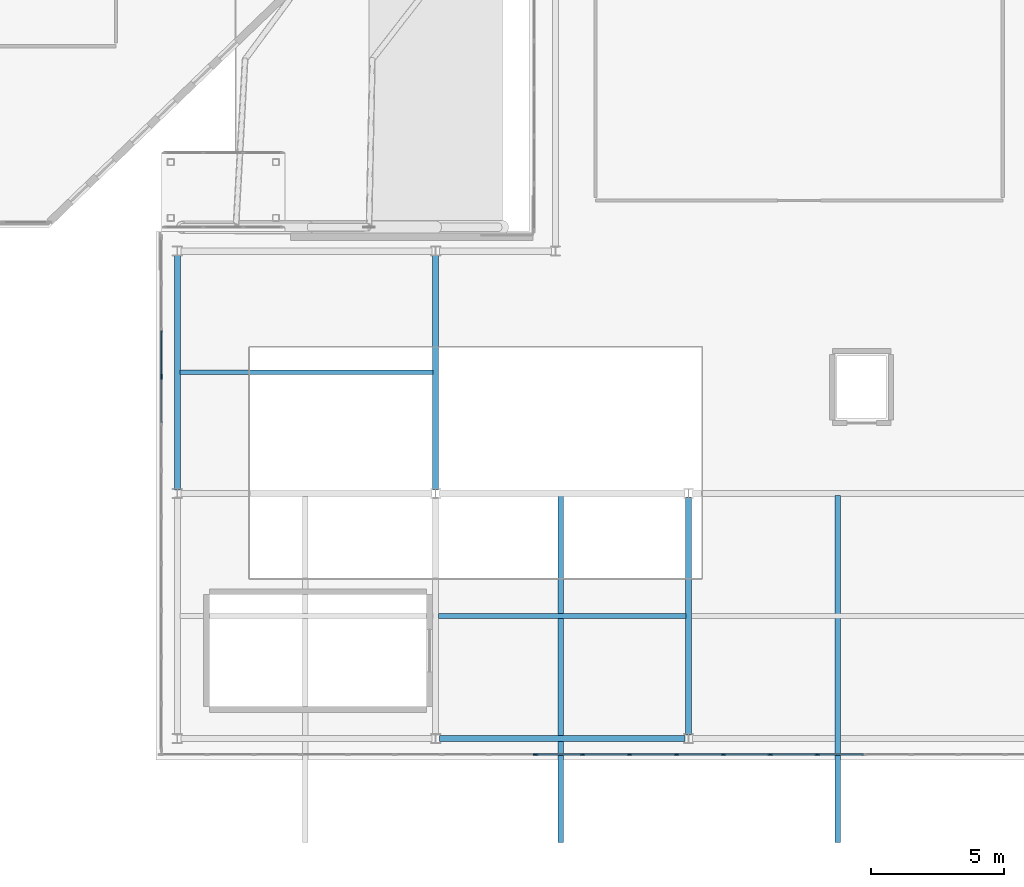
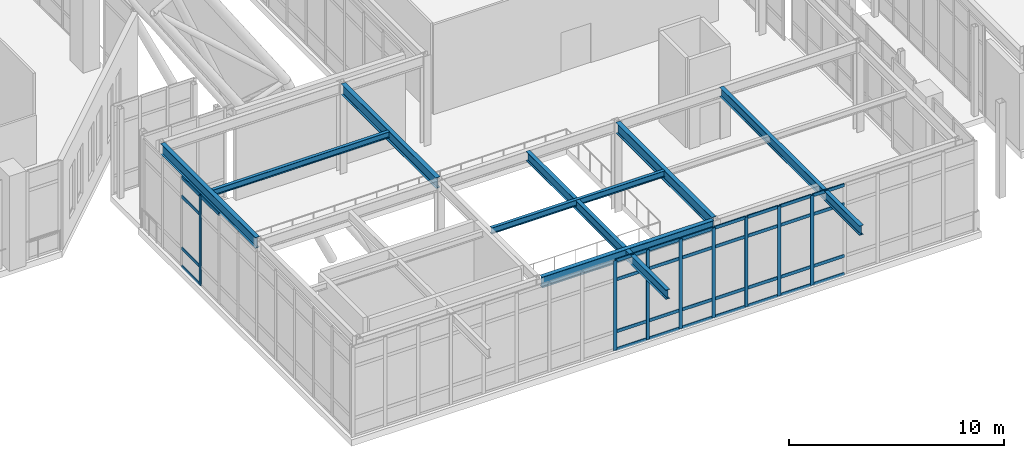
# One storey, part 35 of 159: 41 members, 8 beams, 2 elements without a shape of their own.
"""IFC4 building model written with IfcOpenShell, lengths in metres."""

import ifcopenshell
import ifcopenshell.guid

model = None  # the IFC model being written
_history = None  # IfcOwnerHistory: only IFC2X3 demands one
_inside = {}  # id of a spatial element -> (the spatial element, [elements in it])
_under = {}  # id of a project, library or spatial element -> (it, [spatial elements below it])
_declared = {}  # id of a project -> (the project, [libraries it declares])
_typed = {}  # id of a type object -> (the type object, [elements of that type])
_made_of = {}  # id of a material, layer set ... -> (it, [elements and type objects made of it])


def new_model(schema):
    """Start an empty IFC model of exactly this schema.

    Asked for "IFC4X3", IfcOpenShell would pick the latest addendum, in which some entities
    have other attributes; the version numbers below select the first issue.
    IFC2X3 requires an IfcOwnerHistory on every rooted entity: one is made here for all.
    """
    global model, _history
    if schema == "IFC4X3":
        model = ifcopenshell.file(schema_version=(4, 3, 0, 0))
    else:
        model = ifcopenshell.file(schema=schema)
    _inside.clear()
    _under.clear()
    _declared.clear()
    _typed.clear()
    _made_of.clear()
    _history = None
    if model.schema == "IFC2X3":
        org = make("IfcOrganization", Name="unknown")
        user = make(
            "IfcPersonAndOrganization",
            ThePerson=make("IfcPerson", FamilyName="unknown"),
            TheOrganization=org,
        )
        app = make(
            "IfcApplication",
            ApplicationDeveloper=org,
            Version="unknown",
            ApplicationFullName="unknown",
            ApplicationIdentifier="unknown",
        )
        _history = make(
            "IfcOwnerHistory",
            OwningUser=user,
            OwningApplication=app,
            ChangeAction="ADDED",
            CreationDate=0,
        )
    return model


def make(cls, **values):
    """One entity of the class cls with the attributes given. An attribute that is None is left unset."""
    return model.create_entity(
        cls, **{name: value for name, value in values.items() if value is not None}
    )


def rooted(cls, **values):
    """An entity with a GlobalId (a new one), such as an element, a storey or a relation."""
    return make(cls, GlobalId=ifcopenshell.guid.new(), OwnerHistory=_history, **values)


def si_unit(unit_type, name, prefix=None):
    """IfcSIUnit, for example si_unit("LENGTHUNIT", "METRE", prefix="MILLI")."""
    return make("IfcSIUnit", UnitType=unit_type, Prefix=prefix, Name=name)


def derived_unit(unit_type, elements):
    """IfcDerivedUnit: a product of units, each with its exponent."""
    return make(
        "IfcDerivedUnit",
        Elements=[
            make("IfcDerivedUnitElement", Unit=unit, Exponent=power)
            for unit, power in elements
        ],
        UnitType=unit_type,
    )


def assignment(units):
    """IfcUnitAssignment: the units of a project."""
    return None if units is None else make("IfcUnitAssignment", Units=units)


def point(xyz):
    """IfcCartesianPoint."""
    return None if xyz is None else make("IfcCartesianPoint", Coordinates=xyz)


def direction(xyz):
    """IfcDirection."""
    return None if xyz is None else make("IfcDirection", DirectionRatios=xyz)


def frame(location, z_axis=None, x_axis=None):
    """IfcAxis2Placement3D, a coordinate frame: its origin and axes. An axis left out is left unset."""
    return make(
        "IfcAxis2Placement3D",
        Location=point(location),
        Axis=direction(z_axis),
        RefDirection=direction(x_axis),
    )


def frame_2d(location, x_axis=None):
    """IfcAxis2Placement2D, a coordinate frame in the plane: its origin and x axis."""
    return make(
        "IfcAxis2Placement2D", Location=point(location), RefDirection=direction(x_axis)
    )


def origin():
    """The frame at (0, 0, 0) with its axes left unset."""
    return frame((0.0, 0.0, 0.0))


def origin_2d():
    """The frame at (0, 0) in the plane with its x axis left unset."""
    return frame_2d((0.0, 0.0))


def place(relative_to, where):
    """IfcLocalPlacement: puts the frame where relative to a parent placement (None: the world)."""
    return make(
        "IfcLocalPlacement", PlacementRelTo=relative_to, RelativePlacement=where
    )


def context(
    kind, dimensions, precision=None, world=None, true_north=None, identifier=None
):
    """IfcGeometricRepresentationContext, for example the 3D "Model" context."""
    return make(
        "IfcGeometricRepresentationContext",
        ContextIdentifier=identifier,
        ContextType=kind,
        CoordinateSpaceDimension=dimensions,
        Precision=precision,
        WorldCoordinateSystem=world,
        TrueNorth=true_north,
    )


def subcontext(parent, identifier, kind, view, scale=None):
    """IfcGeometricRepresentationSubContext, for example "Body" below "Model"."""
    return make(
        "IfcGeometricRepresentationSubContext",
        ContextIdentifier=identifier,
        ContextType=kind,
        ParentContext=parent,
        TargetScale=scale,
        TargetView=view,
    )


def project(units=None, contexts=None):
    """IfcProject with its units and contexts."""
    return rooted(
        "IfcProject",
        Name="project",
        RepresentationContexts=contexts,
        UnitsInContext=assignment(units),
    )


def spatial(cls, under=None, at=None, **own):
    """A site, building, storey or space (cls), placed at a placement, below another one or the project."""
    s = rooted(cls, ObjectPlacement=at, **own)
    if under is not None:
        _under.setdefault(under.id(), (under, []))[1].append(s)
    return s


def profile(cls, at=None, kind="AREA", **sizes):
    """A parametric profile (cls). Its sizes go by their IFC names, for example OverallWidth=200.0."""
    return make(cls, ProfileType=kind, Position=at, **sizes)


def rectangle(**sizes):
    """IfcRectangleProfileDef."""
    return profile("IfcRectangleProfileDef", **sizes)


def i_section(**sizes):
    """IfcIShapeProfileDef."""
    return profile("IfcIShapeProfileDef", **sizes)


def extrude(swept, where, along, depth):
    """IfcExtrudedAreaSolid: the profile swept, set in the frame where, extruded along a direction by depth."""
    return make(
        "IfcExtrudedAreaSolid",
        SweptArea=swept,
        Position=where,
        ExtrudedDirection=direction(along),
        Depth=depth,
    )


def shape(context_of_items, identifier, shape_type, items):
    """IfcShapeRepresentation: the items that make up one representation, for example the "Body"."""
    return make(
        "IfcShapeRepresentation",
        ContextOfItems=context_of_items,
        RepresentationIdentifier=identifier,
        RepresentationType=shape_type,
        Items=items,
    )


def material(Name=None, Category=None):
    """IfcMaterial."""
    return make("IfcMaterial", Name=Name, Category=Category)


def layer(
    of_material, thickness, ventilated=None, Name=None, Category=None, Priority=None
):
    """IfcMaterialLayer: one layer of a wall or slab, of a material (None: an air gap)."""
    return make(
        "IfcMaterialLayer",
        Material=of_material,
        LayerThickness=thickness,
        IsVentilated=ventilated,
        Name=Name,
        Category=Category,
        Priority=Priority,
    )


def layer_set(layers, Name=None):
    """IfcMaterialLayerSet."""
    return make("IfcMaterialLayerSet", MaterialLayers=layers, LayerSetName=Name)


def material_profile(
    of_material, cross_section, Name=None, Category=None, Priority=None
):
    """IfcMaterialProfile: a cross section and its material."""
    return make(
        "IfcMaterialProfile",
        Name=Name,
        Material=of_material,
        Profile=cross_section,
        Priority=Priority,
        Category=Category,
    )


def profile_set(profiles, Name=None, composite=None):
    """IfcMaterialProfileSet."""
    return make(
        "IfcMaterialProfileSet",
        Name=Name,
        MaterialProfiles=profiles,
        CompositeProfile=composite,
    )


def made_of(thing, what):
    """Note that an element or type object is made of a material, layer set ...; save() writes the relation."""
    if what is not None:
        _made_of.setdefault(what.id(), (what, []))[1].append(thing)
    return thing


def type_object(cls, material=None, **own):
    """A type object (cls), such as IfcWallType, which elements share."""
    return made_of(rooted(cls, **own), material)


def element(
    cls,
    number,
    at=None,
    inside=None,
    cuts=None,
    type_object=None,
    material=None,
    context=None,
    identifier="Body",
    shape_type=None,
    held_by="IfcProductDefinitionShape",
    body=None,
    shapes=None,
    **own,
):
    """One element of the class cls, such as IfcWall. Its Tag is "e" and its number.

    at: its placement. inside: the storey or other place that contains it. cuts: it is an
    opening in that element (IfcRelVoidsElement). A single representation is given by context,
    identifier, shape_type and body (its items); several are given by shapes. held_by: the class
    of the entity that holds the representations. save() writes the other relations.
    """
    e = rooted(cls, Tag="e%d" % number, ObjectPlacement=at, **own)
    if body is not None:
        shapes = [shape(context, identifier, shape_type, body)]
    if shapes is not None:
        e.Representation = make(held_by, Representations=shapes)
    if inside is not None:
        _inside.setdefault(inside.id(), (inside, []))[1].append(e)
    if cuts is not None:
        rooted(
            "IfcRelVoidsElement", RelatingBuildingElement=cuts, RelatedOpeningElement=e
        )
    if type_object is not None:
        _typed.setdefault(type_object.id(), (type_object, []))[1].append(e)
    return made_of(e, material)


def aggregate(whole, parts):
    """IfcRelAggregates: a whole, such as a stair, and the parts it consists of."""
    return rooted("IfcRelAggregates", RelatingObject=whole, RelatedObjects=parts)


def save(model, path):
    """Write the relations noted so far, then the file.

    IfcRelAggregates (storeys below a building ...), IfcRelContainedInSpatialStructure (elements
    in a storey), IfcRelDefinesByType, IfcRelAssociatesMaterial and IfcRelDeclares: one each for
    every whole, place, type object, material and project.
    """
    for whole, parts in _under.values():
        aggregate(whole, parts)
    for where, things in _inside.values():
        rooted(
            "IfcRelContainedInSpatialStructure",
            RelatedElements=things,
            RelatingStructure=where,
        )
    for kind, things in _typed.values():
        rooted("IfcRelDefinesByType", RelatedObjects=things, RelatingType=kind)
    for what, things in _made_of.values():
        rooted("IfcRelAssociatesMaterial", RelatedObjects=things, RelatingMaterial=what)
    for by, libraries in _declared.values():
        rooted("IfcRelDeclares", RelatingContext=by, RelatedDefinitions=libraries)
    model.write(path)


model = new_model("IFC4")

# Units and contexts
model_context = context("Model", 3, precision=1e-05, world=origin(), true_north=direction((0.0, 1.0)))
body_context = subcontext(model_context, "Body", "Model", "MODEL_VIEW")
ifc_project = project(units=[si_unit("LENGTHUNIT", "METRE"), si_unit("AREAUNIT", "SQUARE_METRE"), si_unit("VOLUMEUNIT", "CUBIC_METRE"), si_unit("PLANEANGLEUNIT", "RADIAN"), si_unit("MASSUNIT", "GRAM", prefix="KILO"), derived_unit("THERMALTRANSMITTANCEUNIT", [(si_unit("MASSUNIT", "GRAM", prefix="KILO"), 1), (si_unit("TIMEUNIT", "SECOND"), -3), (si_unit("THERMODYNAMICTEMPERATUREUNIT", "KELVIN"), -1)])], contexts=[model_context])

# Site, building, storey
site_placement = place(None, origin())
site = spatial("IfcSite", under=ifc_project, at=site_placement, CompositionType="ELEMENT")
building_placement = place(site_placement, origin())
building = spatial("IfcBuilding", under=site, at=building_placement, Name="Valcora Ridge Arena", CompositionType="ELEMENT")
storey_placement = place(building_placement, frame((0.0, 0.0, 6.0)))
storey = spatial("IfcBuildingStorey", under=building, at=storey_placement, Name="L01", CompositionType="ELEMENT", Elevation=6.0)

# Beams
ifc_material_1 = material(Name="Steel ASTM A572 Grade 50", Category="steel")
ifc_material_profile_1 = material_profile(ifc_material_1, i_section(OverallWidth=0.208984375, OverallDepth=0.532958984375, WebThickness=0.01025390625, FlangeThickness=0.015625, FilletRadius=0.01611328125, at=origin_2d()), Name="W21X62")
ifc_profile_set_1 = profile_set([ifc_material_profile_1], Name="Steel ASTM A572 Grade 50")
beam_type_1 = type_object("IfcBeamType", Name="TY-BEAM-CAN-W21X62", PredefinedType="BEAM", material=ifc_profile_set_1)
for number, where, z_axis, x_axis, name in (
    (1, (113.199951171875, -3.10009765625, 4.83349609375), (0.0, 1.0, 0.0), (-1.0, 0.0, 0.0), "CAN-W21X62 BEM-CAN-W21X62-0002"),
    (2, (123.60009765625, -3.10009765625, 4.83349609375), (0.0, 1.0, 0.0), (-1.0, 0.0, 0.0), "CAN-W21X62 BEM-CAN-W21X62-0003"),
):
    element("IfcBeam", number, at=place(storey_placement, frame(where, z_axis=z_axis, x_axis=x_axis)), inside=storey, type_object=beam_type_1, Name=name, PredefinedType="BEAM", context=body_context, shape_type="SweptSolid", body=[
        extrude(i_section(OverallWidth=0.208984375, OverallDepth=0.532958984375, WebThickness=0.01025390625, FlangeThickness=0.015625, FilletRadius=0.01611328125, at=origin_2d()), origin(), (0.0, 0.0, 1.0), 13.02001953125),
    ])
ifc_material_profile_2 = material_profile(ifc_material_1, i_section(OverallWidth=0.22900390625, OverallDepth=0.612060546875, WebThickness=0.011962890625, FlangeThickness=0.01953125, FilletRadius=0.01806640625, at=origin_2d()), Name="W24X84")
ifc_profile_set_2 = profile_set([ifc_material_profile_2], Name="Steel ASTM A572 Grade 50")
beam_type_2 = type_object("IfcBeamType", Name="TY-BEAM-G-W24X84-Y", PredefinedType="BEAM", material=ifc_profile_set_2)
for number, where, z_axis, x_axis, name in (
    (3, (98.800048828125, 10.139892578125, 4.7939453125), (0.0, 1.0, 0.0), (-1.0, 0.0, 0.0), "G-W24X84-Y BEM-G-W24X84-Y-0010"),
    (4, (108.5, 10.139892578125, 4.7939453125), (0.0, 1.0, 0.0), (-1.0, 0.0, 0.0), "G-W24X84-Y BEM-G-W24X84-Y-0012"),
):
    element("IfcBeam", number, at=place(storey_placement, frame(where, z_axis=z_axis, x_axis=x_axis)), inside=storey, type_object=beam_type_2, Name=name, PredefinedType="BEAM", context=body_context, shape_type="SweptSolid", body=[
        extrude(i_section(OverallWidth=0.22900390625, OverallDepth=0.612060546875, WebThickness=0.011962890625, FlangeThickness=0.01953125, FilletRadius=0.01806640625, at=origin_2d()), origin(), (0.0, 0.0, 1.0), 8.820068359375),
    ])
beam_1_placement = place(storey_placement, frame((118.0, 0.93994140625, 4.7939453125), z_axis=(0.0, 1.0, 0.0), x_axis=(-1.0, 0.0, 0.0)))
element("IfcBeam", 5, at=beam_1_placement, inside=storey, type_object=beam_type_2, Name="G-W24X84-Y BEM-G-W24X84-Y-0015", PredefinedType="BEAM", context=body_context, shape_type="SweptSolid", body=[
    extrude(i_section(OverallWidth=0.22900390625, OverallDepth=0.612060546875, WebThickness=0.011962890625, FlangeThickness=0.01953125, FilletRadius=0.01806640625, at=origin_2d()), origin(), (0.0, 0.0, 1.0), 8.920166015625),
])
ifc_material_profile_3 = material_profile(ifc_material_1, i_section(OverallWidth=0.1708984375, OverallDepth=0.35107421875, WebThickness=0.0068359375, FlangeThickness=0.009765625, FilletRadius=0.012939453125, at=origin_2d()), Name="W14X30")
ifc_profile_set_3 = profile_set([ifc_material_profile_3], Name="Steel ASTM A572 Grade 50")
beam_type_3 = type_object("IfcBeamType", Name="TY-BEAM-J-W14X30", PredefinedType="JOIST", material=ifc_profile_set_3)
beam_2_placement = place(storey_placement, frame((98.89990234375, 14.550048828125, 4.924560546875), z_axis=(1.0, 0.0, 0.0), x_axis=(0.0, 1.0, 0.0)))
element("IfcBeam", 6, at=beam_2_placement, inside=storey, type_object=beam_type_3, Name="J-W14X30 BEM-J-W14X30-0002", PredefinedType="JOIST", context=body_context, shape_type="SweptSolid", body=[
    extrude(i_section(OverallWidth=0.1708984375, OverallDepth=0.35107421875, WebThickness=0.0068359375, FlangeThickness=0.009765625, FilletRadius=0.012939453125, at=origin_2d()), origin(), (0.0, 0.0, 1.0), 9.5),
])
beam_3_placement = place(storey_placement, frame((108.60009765625, 5.39990234375, 4.924560546875), z_axis=(1.0, 0.0, 0.0), x_axis=(0.0, 1.0, 0.0)))
element("IfcBeam", 7, at=beam_3_placement, inside=storey, type_object=beam_type_3, Name="J-W14X30 BEM-J-W14X30-0003", PredefinedType="JOIST", context=body_context, shape_type="SweptSolid", body=[
    extrude(i_section(OverallWidth=0.1708984375, OverallDepth=0.35107421875, WebThickness=0.0068359375, FlangeThickness=0.009765625, FilletRadius=0.012939453125, at=origin_2d()), origin(), (0.0, 0.0, 1.0), 9.2998046875),
])
ifc_material_profile_4 = material_profile(ifc_material_1, i_section(OverallWidth=0.22900390625, OverallDepth=0.612060546875, WebThickness=0.011962890625, FlangeThickness=0.01953125, FilletRadius=0.01806640625, at=origin_2d()), Name="W24X84")
ifc_profile_set_4 = profile_set([ifc_material_profile_4], Name="Steel ASTM A572 Grade 50")
beam_type_4 = type_object("IfcBeamType", Name="TY-BEAM-SP-W24X84", PredefinedType="SPANDREL", material=ifc_profile_set_4)
beam_4_placement = place(storey_placement, frame((108.639892578125, 0.800048828125, 4.7939453125), z_axis=(1.0, 0.0, 0.0), x_axis=(0.0, 1.0, 0.0)))
element("IfcBeam", 8, at=beam_4_placement, inside=storey, type_object=beam_type_4, Name="SP-W24X84 BEM-SP-W24X84-0005", PredefinedType="SPANDREL", context=body_context, shape_type="SweptSolid", body=[
    extrude(i_section(OverallWidth=0.22900390625, OverallDepth=0.612060546875, WebThickness=0.011962890625, FlangeThickness=0.01953125, FilletRadius=0.01806640625, at=origin_2d()), origin(), (0.0, 0.0, 1.0), 9.22021484375),
])

# Curtain wall, members
ifc_material_2 = material(Name="Anodised dark bronze architectural aluminium 6063-T6", Category="aluminium")
ifc_layer_1 = layer(ifc_material_2, 0.179931640625, Name="Anodised dark bronze architectural aluminium 6063-T6")
ifc_layer_set_1 = layer_set([ifc_layer_1], Name="Anodised dark bronze architectural aluminium 6063-T6")
curtain_wall_type_1 = type_object("IfcCurtainWallType", Name="TY-CURTAINWALL-CW-V3-LANCET-335X51", PredefinedType="NOTDEFINED", material=ifc_layer_set_1)
curtain_wall_1_placement = place(storey_placement, origin())
curtain_wall_1 = element("IfcCurtainWall", 9, at=curtain_wall_1_placement, inside=storey, type_object=curtain_wall_type_1, Name="CW-V3-LANCET-335X51 CW-0011", PredefinedType="NOTDEFINED")
ifc_material_profile_5 = material_profile(ifc_material_2, rectangle(XDim=0.06005859375, YDim=0.179931640625, at=origin_2d()), Name="ALU MULLION 60x180")
ifc_profile_set_5 = profile_set([ifc_material_profile_5], Name="Anodised dark bronze architectural aluminium 6063-T6")
member_type_1 = type_object("IfcMemberType", Name="TY-MEM-CWM-60x180", PredefinedType="MULLION", material=ifc_profile_set_5)
member_1_placement = place(storey_placement, frame((112.25537109375, 0.199951171875, 0.0), z_axis=(0.0, 0.0, 1.0), x_axis=(0.0, 1.0, 0.0)))
member_1 = element("IfcMember", 10, at=member_1_placement, type_object=member_type_1, Name="CW-0011/CWM-60x180/M08", PredefinedType="MULLION", context=body_context, shape_type="SweptSolid", body=[
    extrude(rectangle(XDim=0.06005859375, YDim=0.179931640625, at=origin_2d()), origin(), (0.0, 0.0, 1.0), 5.10009765625),
])
member_2_placement = place(storey_placement, frame((114.018310546875, 0.199951171875, 0.0), z_axis=(0.0, 0.0, 1.0), x_axis=(0.0, 1.0, 0.0)))
member_2 = element("IfcMember", 11, at=member_2_placement, type_object=member_type_1, Name="CW-0011/CWM-60x180/M09", PredefinedType="MULLION", context=body_context, shape_type="SweptSolid", body=[
    extrude(rectangle(XDim=0.06005859375, YDim=0.179931640625, at=origin_2d()), origin(), (0.0, 0.0, 1.0), 5.10009765625),
])
member_3_placement = place(storey_placement, frame((115.781494140625, 0.199951171875, 0.0), z_axis=(0.0, 0.0, 1.0), x_axis=(0.0, 1.0, 0.0)))
member_3 = element("IfcMember", 12, at=member_3_placement, type_object=member_type_1, Name="CW-0011/CWM-60x180/M10", PredefinedType="MULLION", context=body_context, shape_type="SweptSolid", body=[
    extrude(rectangle(XDim=0.06005859375, YDim=0.179931640625, at=origin_2d()), origin(), (0.0, 0.0, 1.0), 5.10009765625),
])
member_4_placement = place(storey_placement, frame((117.544677734375, 0.199951171875, 0.0), z_axis=(0.0, 0.0, 1.0), x_axis=(0.0, 1.0, 0.0)))
member_4 = element("IfcMember", 13, at=member_4_placement, type_object=member_type_1, Name="CW-0011/CWM-60x180/M11", PredefinedType="MULLION", context=body_context, shape_type="SweptSolid", body=[
    extrude(rectangle(XDim=0.06005859375, YDim=0.179931640625, at=origin_2d()), origin(), (0.0, 0.0, 1.0), 5.10009765625),
])
member_5_placement = place(storey_placement, frame((119.307861328125, 0.199951171875, 0.0), z_axis=(0.0, 0.0, 1.0), x_axis=(0.0, 1.0, 0.0)))
member_5 = element("IfcMember", 14, at=member_5_placement, type_object=member_type_1, Name="CW-0011/CWM-60x180/M12", PredefinedType="MULLION", context=body_context, shape_type="SweptSolid", body=[
    extrude(rectangle(XDim=0.06005859375, YDim=0.179931640625, at=origin_2d()), origin(), (0.0, 0.0, 1.0), 5.10009765625),
])
member_6_placement = place(storey_placement, frame((121.071044921875, 0.199951171875, 0.0), z_axis=(0.0, 0.0, 1.0), x_axis=(0.0, 1.0, 0.0)))
member_6 = element("IfcMember", 15, at=member_6_placement, type_object=member_type_1, Name="CW-0011/CWM-60x180/M13", PredefinedType="MULLION", context=body_context, shape_type="SweptSolid", body=[
    extrude(rectangle(XDim=0.06005859375, YDim=0.179931640625, at=origin_2d()), origin(), (0.0, 0.0, 1.0), 5.10009765625),
])
member_7_placement = place(storey_placement, frame((122.834228515625, 0.199951171875, 0.0), z_axis=(0.0, 0.0, 1.0), x_axis=(0.0, 1.0, 0.0)))
member_7 = element("IfcMember", 16, at=member_7_placement, type_object=member_type_1, Name="CW-0011/CWM-60x180/M14", PredefinedType="MULLION", context=body_context, shape_type="SweptSolid", body=[
    extrude(rectangle(XDim=0.06005859375, YDim=0.179931640625, at=origin_2d()), origin(), (0.0, 0.0, 1.0), 5.10009765625),
])

# Curtain wall, member
ifc_layer_2 = layer(ifc_material_2, 0.179931640625, Name="Anodised dark bronze architectural aluminium 6063-T6")
ifc_layer_set_2 = layer_set([ifc_layer_2], Name="Anodised dark bronze architectural aluminium 6063-T6")
curtain_wall_type_2 = type_object("IfcCurtainWallType", Name="TY-CURTAINWALL-CW-V3-LANCET-193X51", PredefinedType="NOTDEFINED", material=ifc_layer_set_2)
curtain_wall_2_placement = place(storey_placement, origin())
curtain_wall_2 = element("IfcCurtainWall", 17, at=curtain_wall_2_placement, inside=storey, type_object=curtain_wall_type_2, Name="CW-V3-LANCET-193X51 CW-0020", PredefinedType="NOTDEFINED")
member_8_placement = place(storey_placement, frame((98.199951171875, 14.386474609375, 0.0), z_axis=(0.0, 0.0, 1.0), x_axis=(-1.0, 0.0, 0.0)))
member_8 = element("IfcMember", 18, at=member_8_placement, type_object=member_type_1, Name="CW-0020/CWM-60x180/M08", PredefinedType="MULLION", context=body_context, shape_type="SweptSolid", body=[
    extrude(rectangle(XDim=0.06005859375, YDim=0.179931640625, at=origin_2d()), origin(), (0.0, 0.0, 1.0), 5.10009765625),
])

# Member
ifc_material_profile_6 = material_profile(ifc_material_2, rectangle(XDim=0.06005859375, YDim=0.179931640625, at=origin_2d()), Name="ALU TRANSOM 60x180")
ifc_profile_set_6 = profile_set([ifc_material_profile_6], Name="Anodised dark bronze architectural aluminium 6063-T6")
member_type_2 = type_object("IfcMemberType", Name="TY-MEM-CWT-60x180", PredefinedType="USERDEFINED", material=ifc_profile_set_6)
member_9_placement = place(storey_placement, frame((112.284912109375, 0.199951171875, 0.030029296875), z_axis=(1.0, 0.0, 0.0), x_axis=(0.0, 1.0, 0.0)))
member_9 = element("IfcMember", 19, at=member_9_placement, type_object=member_type_2, Name="CW-0011/CWT-60x180/T08-00", ObjectType="TRANSOM", PredefinedType="USERDEFINED", context=body_context, shape_type="SweptSolid", body=[
    extrude(rectangle(XDim=0.06005859375, YDim=0.179931640625, at=origin_2d()), origin(), (0.0, 0.0, 1.0), 1.703125),
])

member_10_placement = place(storey_placement, frame((112.284912109375, 0.199951171875, 1.050048828125), z_axis=(1.0, 0.0, 0.0), x_axis=(0.0, 1.0, 0.0)))
member_10 = element("IfcMember", 20, at=member_10_placement, type_object=member_type_2, Name="CW-0011/CWT-60x180/T08-01", ObjectType="TRANSOM", PredefinedType="USERDEFINED", context=body_context, shape_type="SweptSolid", body=[
    extrude(rectangle(XDim=0.06005859375, YDim=0.179931640625, at=origin_2d()), origin(), (0.0, 0.0, 1.0), 1.703125),
])

member_11_placement = place(storey_placement, frame((112.284912109375, 0.199951171875, 4.0), z_axis=(1.0, 0.0, 0.0), x_axis=(0.0, 1.0, 0.0)))
member_11 = element("IfcMember", 21, at=member_11_placement, type_object=member_type_2, Name="CW-0011/CWT-60x180/T08-02", ObjectType="TRANSOM", PredefinedType="USERDEFINED", context=body_context, shape_type="SweptSolid", body=[
    extrude(rectangle(XDim=0.06005859375, YDim=0.179931640625, at=origin_2d()), origin(), (0.0, 0.0, 1.0), 1.703125),
])

member_12_placement = place(storey_placement, frame((112.284912109375, 0.199951171875, 5.070068359375), z_axis=(1.0, 0.0, 0.0), x_axis=(0.0, 1.0, 0.0)))
member_12 = element("IfcMember", 22, at=member_12_placement, type_object=member_type_2, Name="CW-0011/CWT-60x180/T08-03", ObjectType="TRANSOM", PredefinedType="USERDEFINED", context=body_context, shape_type="SweptSolid", body=[
    extrude(rectangle(XDim=0.06005859375, YDim=0.179931640625, at=origin_2d()), origin(), (0.0, 0.0, 1.0), 1.703125),
])

member_13_placement = place(storey_placement, frame((114.048095703125, 0.199951171875, 0.030029296875), z_axis=(1.0, 0.0, 0.0), x_axis=(0.0, 1.0, 0.0)))
member_13 = element("IfcMember", 23, at=member_13_placement, type_object=member_type_2, Name="CW-0011/CWT-60x180/T09-00", ObjectType="TRANSOM", PredefinedType="USERDEFINED", context=body_context, shape_type="SweptSolid", body=[
    extrude(rectangle(XDim=0.06005859375, YDim=0.179931640625, at=origin_2d()), origin(), (0.0, 0.0, 1.0), 1.703857421875),
])

member_14_placement = place(storey_placement, frame((114.048095703125, 0.199951171875, 1.050048828125), z_axis=(1.0, 0.0, 0.0), x_axis=(0.0, 1.0, 0.0)))
member_14 = element("IfcMember", 24, at=member_14_placement, type_object=member_type_2, Name="CW-0011/CWT-60x180/T09-01", ObjectType="TRANSOM", PredefinedType="USERDEFINED", context=body_context, shape_type="SweptSolid", body=[
    extrude(rectangle(XDim=0.06005859375, YDim=0.179931640625, at=origin_2d()), origin(), (0.0, 0.0, 1.0), 1.703857421875),
])

member_15_placement = place(storey_placement, frame((114.048095703125, 0.199951171875, 4.0), z_axis=(1.0, 0.0, 0.0), x_axis=(0.0, 1.0, 0.0)))
member_15 = element("IfcMember", 25, at=member_15_placement, type_object=member_type_2, Name="CW-0011/CWT-60x180/T09-02", ObjectType="TRANSOM", PredefinedType="USERDEFINED", context=body_context, shape_type="SweptSolid", body=[
    extrude(rectangle(XDim=0.06005859375, YDim=0.179931640625, at=origin_2d()), origin(), (0.0, 0.0, 1.0), 1.703857421875),
])

member_16_placement = place(storey_placement, frame((114.048095703125, 0.199951171875, 5.070068359375), z_axis=(1.0, 0.0, 0.0), x_axis=(0.0, 1.0, 0.0)))
member_16 = element("IfcMember", 26, at=member_16_placement, type_object=member_type_2, Name="CW-0011/CWT-60x180/T09-03", ObjectType="TRANSOM", PredefinedType="USERDEFINED", context=body_context, shape_type="SweptSolid", body=[
    extrude(rectangle(XDim=0.06005859375, YDim=0.179931640625, at=origin_2d()), origin(), (0.0, 0.0, 1.0), 1.703857421875),
])

member_17_placement = place(storey_placement, frame((115.81201171875, 0.199951171875, 0.030029296875), z_axis=(1.0, 0.0, 0.0), x_axis=(0.0, 1.0, 0.0)))
member_17 = element("IfcMember", 27, at=member_17_placement, type_object=member_type_2, Name="CW-0011/CWT-60x180/T10-00", ObjectType="TRANSOM", PredefinedType="USERDEFINED", context=body_context, shape_type="SweptSolid", body=[
    extrude(rectangle(XDim=0.06005859375, YDim=0.179931640625, at=origin_2d()), origin(), (0.0, 0.0, 1.0), 1.702880859375),
])

member_18_placement = place(storey_placement, frame((115.81201171875, 0.199951171875, 1.050048828125), z_axis=(1.0, 0.0, 0.0), x_axis=(0.0, 1.0, 0.0)))
member_18 = element("IfcMember", 28, at=member_18_placement, type_object=member_type_2, Name="CW-0011/CWT-60x180/T10-01", ObjectType="TRANSOM", PredefinedType="USERDEFINED", context=body_context, shape_type="SweptSolid", body=[
    extrude(rectangle(XDim=0.06005859375, YDim=0.179931640625, at=origin_2d()), origin(), (0.0, 0.0, 1.0), 1.702880859375),
])

member_19_placement = place(storey_placement, frame((115.81201171875, 0.199951171875, 4.0), z_axis=(1.0, 0.0, 0.0), x_axis=(0.0, 1.0, 0.0)))
member_19 = element("IfcMember", 29, at=member_19_placement, type_object=member_type_2, Name="CW-0011/CWT-60x180/T10-02", ObjectType="TRANSOM", PredefinedType="USERDEFINED", context=body_context, shape_type="SweptSolid", body=[
    extrude(rectangle(XDim=0.06005859375, YDim=0.179931640625, at=origin_2d()), origin(), (0.0, 0.0, 1.0), 1.702880859375),
])

member_20_placement = place(storey_placement, frame((115.81201171875, 0.199951171875, 5.070068359375), z_axis=(1.0, 0.0, 0.0), x_axis=(0.0, 1.0, 0.0)))
member_20 = element("IfcMember", 30, at=member_20_placement, type_object=member_type_2, Name="CW-0011/CWT-60x180/T10-03", ObjectType="TRANSOM", PredefinedType="USERDEFINED", context=body_context, shape_type="SweptSolid", body=[
    extrude(rectangle(XDim=0.06005859375, YDim=0.179931640625, at=origin_2d()), origin(), (0.0, 0.0, 1.0), 1.702880859375),
])

member_21_placement = place(storey_placement, frame((117.574951171875, 0.199951171875, 0.030029296875), z_axis=(1.0, 0.0, 0.0), x_axis=(0.0, 1.0, 0.0)))
member_21 = element("IfcMember", 31, at=member_21_placement, type_object=member_type_2, Name="CW-0011/CWT-60x180/T11-00", ObjectType="TRANSOM", PredefinedType="USERDEFINED", context=body_context, shape_type="SweptSolid", body=[
    extrude(rectangle(XDim=0.06005859375, YDim=0.179931640625, at=origin_2d()), origin(), (0.0, 0.0, 1.0), 1.703125),
])

member_22_placement = place(storey_placement, frame((117.574951171875, 0.199951171875, 1.050048828125), z_axis=(1.0, 0.0, 0.0), x_axis=(0.0, 1.0, 0.0)))
member_22 = element("IfcMember", 32, at=member_22_placement, type_object=member_type_2, Name="CW-0011/CWT-60x180/T11-01", ObjectType="TRANSOM", PredefinedType="USERDEFINED", context=body_context, shape_type="SweptSolid", body=[
    extrude(rectangle(XDim=0.06005859375, YDim=0.179931640625, at=origin_2d()), origin(), (0.0, 0.0, 1.0), 1.703125),
])

member_23_placement = place(storey_placement, frame((117.574951171875, 0.199951171875, 4.0), z_axis=(1.0, 0.0, 0.0), x_axis=(0.0, 1.0, 0.0)))
member_23 = element("IfcMember", 33, at=member_23_placement, type_object=member_type_2, Name="CW-0011/CWT-60x180/T11-02", ObjectType="TRANSOM", PredefinedType="USERDEFINED", context=body_context, shape_type="SweptSolid", body=[
    extrude(rectangle(XDim=0.06005859375, YDim=0.179931640625, at=origin_2d()), origin(), (0.0, 0.0, 1.0), 1.703125),
])

member_24_placement = place(storey_placement, frame((117.574951171875, 0.199951171875, 5.070068359375), z_axis=(1.0, 0.0, 0.0), x_axis=(0.0, 1.0, 0.0)))
member_24 = element("IfcMember", 34, at=member_24_placement, type_object=member_type_2, Name="CW-0011/CWT-60x180/T11-03", ObjectType="TRANSOM", PredefinedType="USERDEFINED", context=body_context, shape_type="SweptSolid", body=[
    extrude(rectangle(XDim=0.06005859375, YDim=0.179931640625, at=origin_2d()), origin(), (0.0, 0.0, 1.0), 1.703125),
])

member_25_placement = place(storey_placement, frame((119.337890625, 0.199951171875, 0.030029296875), z_axis=(1.0, 0.0, 0.0), x_axis=(0.0, 1.0, 0.0)))
member_25 = element("IfcMember", 35, at=member_25_placement, type_object=member_type_2, Name="CW-0011/CWT-60x180/T12-00", ObjectType="TRANSOM", PredefinedType="USERDEFINED", context=body_context, shape_type="SweptSolid", body=[
    extrude(rectangle(XDim=0.06005859375, YDim=0.179931640625, at=origin_2d()), origin(), (0.0, 0.0, 1.0), 1.703125),
])

member_26_placement = place(storey_placement, frame((119.337890625, 0.199951171875, 1.050048828125), z_axis=(1.0, 0.0, 0.0), x_axis=(0.0, 1.0, 0.0)))
member_26 = element("IfcMember", 36, at=member_26_placement, type_object=member_type_2, Name="CW-0011/CWT-60x180/T12-01", ObjectType="TRANSOM", PredefinedType="USERDEFINED", context=body_context, shape_type="SweptSolid", body=[
    extrude(rectangle(XDim=0.06005859375, YDim=0.179931640625, at=origin_2d()), origin(), (0.0, 0.0, 1.0), 1.703125),
])

member_27_placement = place(storey_placement, frame((119.337890625, 0.199951171875, 4.0), z_axis=(1.0, 0.0, 0.0), x_axis=(0.0, 1.0, 0.0)))
member_27 = element("IfcMember", 37, at=member_27_placement, type_object=member_type_2, Name="CW-0011/CWT-60x180/T12-02", ObjectType="TRANSOM", PredefinedType="USERDEFINED", context=body_context, shape_type="SweptSolid", body=[
    extrude(rectangle(XDim=0.06005859375, YDim=0.179931640625, at=origin_2d()), origin(), (0.0, 0.0, 1.0), 1.703125),
])

member_28_placement = place(storey_placement, frame((119.337890625, 0.199951171875, 5.070068359375), z_axis=(1.0, 0.0, 0.0), x_axis=(0.0, 1.0, 0.0)))
member_28 = element("IfcMember", 38, at=member_28_placement, type_object=member_type_2, Name="CW-0011/CWT-60x180/T12-03", ObjectType="TRANSOM", PredefinedType="USERDEFINED", context=body_context, shape_type="SweptSolid", body=[
    extrude(rectangle(XDim=0.06005859375, YDim=0.179931640625, at=origin_2d()), origin(), (0.0, 0.0, 1.0), 1.703125),
])

member_29_placement = place(storey_placement, frame((121.10107421875, 0.199951171875, 0.030029296875), z_axis=(1.0, 0.0, 0.0), x_axis=(0.0, 1.0, 0.0)))
member_29 = element("IfcMember", 39, at=member_29_placement, type_object=member_type_2, Name="CW-0011/CWT-60x180/T13-00", ObjectType="TRANSOM", PredefinedType="USERDEFINED", context=body_context, shape_type="SweptSolid", body=[
    extrude(rectangle(XDim=0.06005859375, YDim=0.179931640625, at=origin_2d()), origin(), (0.0, 0.0, 1.0), 1.702880859375),
])

member_30_placement = place(storey_placement, frame((121.10107421875, 0.199951171875, 1.050048828125), z_axis=(1.0, 0.0, 0.0), x_axis=(0.0, 1.0, 0.0)))
member_30 = element("IfcMember", 40, at=member_30_placement, type_object=member_type_2, Name="CW-0011/CWT-60x180/T13-01", ObjectType="TRANSOM", PredefinedType="USERDEFINED", context=body_context, shape_type="SweptSolid", body=[
    extrude(rectangle(XDim=0.06005859375, YDim=0.179931640625, at=origin_2d()), origin(), (0.0, 0.0, 1.0), 1.702880859375),
])

member_31_placement = place(storey_placement, frame((121.10107421875, 0.199951171875, 4.0), z_axis=(1.0, 0.0, 0.0), x_axis=(0.0, 1.0, 0.0)))
member_31 = element("IfcMember", 41, at=member_31_placement, type_object=member_type_2, Name="CW-0011/CWT-60x180/T13-02", ObjectType="TRANSOM", PredefinedType="USERDEFINED", context=body_context, shape_type="SweptSolid", body=[
    extrude(rectangle(XDim=0.06005859375, YDim=0.179931640625, at=origin_2d()), origin(), (0.0, 0.0, 1.0), 1.702880859375),
])

member_32_placement = place(storey_placement, frame((121.10107421875, 0.199951171875, 5.070068359375), z_axis=(1.0, 0.0, 0.0), x_axis=(0.0, 1.0, 0.0)))
member_32 = element("IfcMember", 42, at=member_32_placement, type_object=member_type_2, Name="CW-0011/CWT-60x180/T13-03", ObjectType="TRANSOM", PredefinedType="USERDEFINED", context=body_context, shape_type="SweptSolid", body=[
    extrude(rectangle(XDim=0.06005859375, YDim=0.179931640625, at=origin_2d()), origin(), (0.0, 0.0, 1.0), 1.702880859375),
])

member_33_placement = place(storey_placement, frame((122.864013671875, 0.199951171875, 0.030029296875), z_axis=(1.0, 0.0, 0.0), x_axis=(0.0, 1.0, 0.0)))
member_33 = element("IfcMember", 43, at=member_33_placement, type_object=member_type_2, Name="CW-0011/CWT-60x180/T14-00", ObjectType="TRANSOM", PredefinedType="USERDEFINED", context=body_context, shape_type="SweptSolid", body=[
    extrude(rectangle(XDim=0.06005859375, YDim=0.179931640625, at=origin_2d()), origin(), (0.0, 0.0, 1.0), 1.702880859375),
])

member_34_placement = place(storey_placement, frame((122.864013671875, 0.199951171875, 1.050048828125), z_axis=(1.0, 0.0, 0.0), x_axis=(0.0, 1.0, 0.0)))
member_34 = element("IfcMember", 44, at=member_34_placement, type_object=member_type_2, Name="CW-0011/CWT-60x180/T14-01", ObjectType="TRANSOM", PredefinedType="USERDEFINED", context=body_context, shape_type="SweptSolid", body=[
    extrude(rectangle(XDim=0.06005859375, YDim=0.179931640625, at=origin_2d()), origin(), (0.0, 0.0, 1.0), 1.702880859375),
])

member_35_placement = place(storey_placement, frame((122.864013671875, 0.199951171875, 4.0), z_axis=(1.0, 0.0, 0.0), x_axis=(0.0, 1.0, 0.0)))
member_35 = element("IfcMember", 45, at=member_35_placement, type_object=member_type_2, Name="CW-0011/CWT-60x180/T14-02", ObjectType="TRANSOM", PredefinedType="USERDEFINED", context=body_context, shape_type="SweptSolid", body=[
    extrude(rectangle(XDim=0.06005859375, YDim=0.179931640625, at=origin_2d()), origin(), (0.0, 0.0, 1.0), 1.702880859375),
])

member_36_placement = place(storey_placement, frame((122.864013671875, 0.199951171875, 5.070068359375), z_axis=(1.0, 0.0, 0.0), x_axis=(0.0, 1.0, 0.0)))
member_36 = element("IfcMember", 46, at=member_36_placement, type_object=member_type_2, Name="CW-0011/CWT-60x180/T14-03", ObjectType="TRANSOM", PredefinedType="USERDEFINED", context=body_context, shape_type="SweptSolid", body=[
    extrude(rectangle(XDim=0.06005859375, YDim=0.179931640625, at=origin_2d()), origin(), (0.0, 0.0, 1.0), 1.702880859375),
])

aggregate(curtain_wall_1, [member_1, member_2, member_3, member_4, member_5, member_6, member_7, member_9, member_10, member_11, member_12, member_13, member_14, member_15, member_16, member_17, member_18, member_19, member_20, member_21, member_22, member_23, member_24, member_25, member_26, member_27, member_28, member_29, member_30, member_31, member_32, member_33, member_34, member_35, member_36])

member_37_placement = place(storey_placement, frame((98.199951171875, 12.662109375, 5.070068359375), z_axis=(0.0, 1.0, 0.0), x_axis=(-1.0, 0.0, 0.0)))
member_37 = element("IfcMember", 47, at=member_37_placement, type_object=member_type_2, Name="CW-0020/CWT-60x180/T07-03", ObjectType="TRANSOM", PredefinedType="USERDEFINED", context=body_context, shape_type="SweptSolid", body=[
    extrude(rectangle(XDim=0.06005859375, YDim=0.179931640625, at=origin_2d()), origin(), (0.0, 0.0, 1.0), 1.69384765625),
])

member_38_placement = place(storey_placement, frame((98.199951171875, 14.416015625, 0.030029296875), z_axis=(0.0, 1.0, 0.0), x_axis=(-1.0, 0.0, 0.0)))
member_38 = element("IfcMember", 48, at=member_38_placement, type_object=member_type_2, Name="CW-0020/CWT-60x180/T08-00", ObjectType="TRANSOM", PredefinedType="USERDEFINED", context=body_context, shape_type="SweptSolid", body=[
    extrude(rectangle(XDim=0.06005859375, YDim=0.179931640625, at=origin_2d()), origin(), (0.0, 0.0, 1.0), 1.695068359375),
])

member_39_placement = place(storey_placement, frame((98.199951171875, 14.416015625, 1.050048828125), z_axis=(0.0, 1.0, 0.0), x_axis=(-1.0, 0.0, 0.0)))
member_39 = element("IfcMember", 49, at=member_39_placement, type_object=member_type_2, Name="CW-0020/CWT-60x180/T08-01", ObjectType="TRANSOM", PredefinedType="USERDEFINED", context=body_context, shape_type="SweptSolid", body=[
    extrude(rectangle(XDim=0.06005859375, YDim=0.179931640625, at=origin_2d()), origin(), (0.0, 0.0, 1.0), 1.695068359375),
])

member_40_placement = place(storey_placement, frame((98.199951171875, 14.416015625, 4.0), z_axis=(0.0, 1.0, 0.0), x_axis=(-1.0, 0.0, 0.0)))
member_40 = element("IfcMember", 50, at=member_40_placement, type_object=member_type_2, Name="CW-0020/CWT-60x180/T08-02", ObjectType="TRANSOM", PredefinedType="USERDEFINED", context=body_context, shape_type="SweptSolid", body=[
    extrude(rectangle(XDim=0.06005859375, YDim=0.179931640625, at=origin_2d()), origin(), (0.0, 0.0, 1.0), 1.695068359375),
])

member_41_placement = place(storey_placement, frame((98.199951171875, 14.416015625, 5.070068359375), z_axis=(0.0, 1.0, 0.0), x_axis=(-1.0, 0.0, 0.0)))
member_41 = element("IfcMember", 51, at=member_41_placement, type_object=member_type_2, Name="CW-0020/CWT-60x180/T08-03", ObjectType="TRANSOM", PredefinedType="USERDEFINED", context=body_context, shape_type="SweptSolid", body=[
    extrude(rectangle(XDim=0.06005859375, YDim=0.179931640625, at=origin_2d()), origin(), (0.0, 0.0, 1.0), 1.695068359375),
])

aggregate(curtain_wall_2, [member_8, member_37, member_38, member_39, member_40, member_41])

save(model, "model.ifc")
